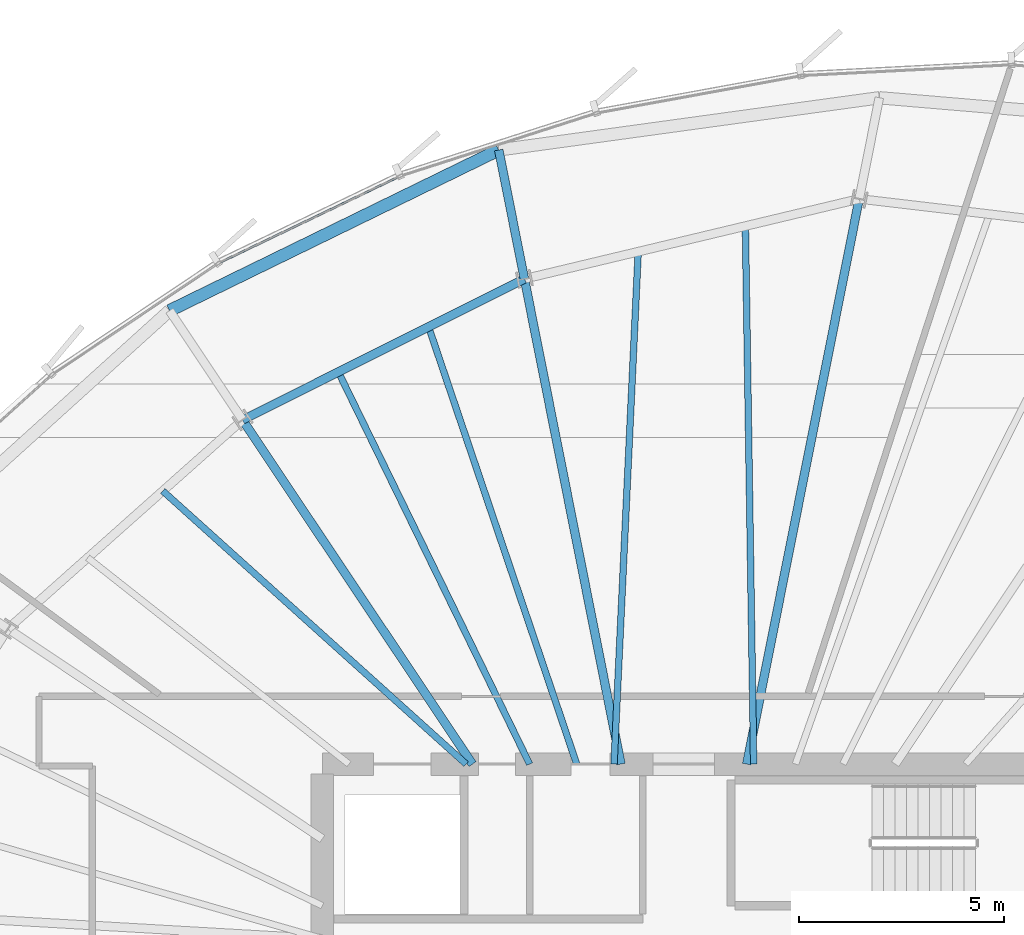
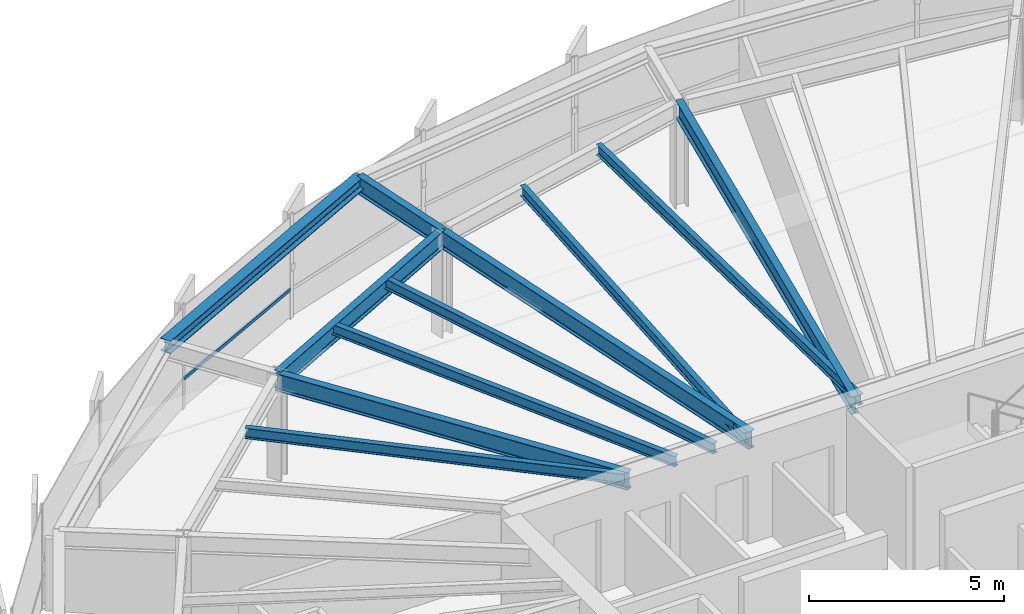
# One storey, part 20 of 34: 11 beams, 1 member, 1 element without a shape of its own.
"""IFC4 building model written with IfcOpenShell, lengths in metres."""

from ifc_helpers import new_model, si_unit, direction, frame, origin, origin_2d, place, context, subcontext, project, spatial, hollow_rectangle, i_section, extrude, source, transform, mapped, material, layer, layer_set, material_profile, profile_set, type_object, element, aggregate, save


model = new_model("IFC4")

# Units and contexts
model_context = context("Model", 3, precision=1e-05, world=origin(), true_north=direction((0.0, 1.0)))
body_context = subcontext(model_context, "Body", "Model", "MODEL_VIEW")
ifc_project = project(units=[si_unit("LENGTHUNIT", "METRE"), si_unit("AREAUNIT", "SQUARE_METRE"), si_unit("VOLUMEUNIT", "CUBIC_METRE"), si_unit("PLANEANGLEUNIT", "RADIAN"), si_unit("MASSUNIT", "GRAM", prefix="KILO"), si_unit("THERMODYNAMICTEMPERATUREUNIT", "KELVIN")], contexts=[model_context])

# Site, building, storey
site_placement = place(None, origin())
site = spatial("IfcSite", under=ifc_project, at=site_placement, CompositionType="ELEMENT")
building_placement = place(site_placement, origin())
building = spatial("IfcBuilding", under=site, at=building_placement, Name="Kethvar Cultural Tower", CompositionType="ELEMENT")
storey_placement = place(building_placement, frame((0.0, 0.0, 153.64990234375)))
storey = spatial("IfcBuildingStorey", under=building, at=storey_placement, Name="L39", CompositionType="ELEMENT", Elevation=153.64990234375)

# Beams
ifc_material_1 = material(Name="Steel S355J2", Category="steel")
ifc_material_profile_1 = material_profile(ifc_material_1, i_section(OverallWidth=0.2099609375, OverallDepth=0.550048828125, WebThickness=0.010986328125, FlangeThickness=0.01708984375, FilletRadius=0.02392578125, at=origin_2d()), Name="Steel S355J2 — IPE550")
ifc_profile_set_1 = profile_set([ifc_material_profile_1], Name="Steel S355J2 — IPE550")
beam_type_1 = type_object("IfcBeamType", Name="BM-IPE550", PredefinedType="BEAM", material=ifc_profile_set_1)
shared_shape_1 = source(origin(), body_context, "Body", "SweptSolid", [
    extrude(i_section(OverallWidth=0.2099609375, OverallDepth=0.550048828125, WebThickness=0.010986328125, FlangeThickness=0.01708984375, FilletRadius=0.02392578125, at=origin_2d()), origin(), (0.0, 0.0, 1.0), 3.199951171875),
])
beam_1_placement = place(storey_placement, frame((42.9189453125, 47.311279296875, 3.023193359375), z_axis=(-0.195088965533, 0.980785550224, 0.0), x_axis=(-0.980785550224, -0.195088965533, 0.0)))
element("IfcBeam", 1, at=beam_1_placement, inside=storey, type_object=beam_type_1, Name="L39 Perimeter Cantilever Beam RC-05", PredefinedType="BEAM", context=body_context, shape_type="MappedRepresentation", body=[
    mapped(shared_shape_1, transform((0.0, 0.0, 0.0), scale=1.0)),
])
shared_shape_2 = source(origin(), body_context, "Body", "SweptSolid", [
    extrude(i_section(OverallWidth=0.2099609375, OverallDepth=0.550048828125, WebThickness=0.010986328125, FlangeThickness=0.01708984375, FilletRadius=0.02392578125, at=origin_2d()), origin(), (0.0, 0.0, 1.0), 14.02880859375),
])
beam_2_placement = place(storey_placement, frame((48.33154296875, 35.5, 3.023193359375), z_axis=(0.195101986683, 0.980782960085, 0.0), x_axis=(-0.980782960085, 0.195101986683, 0.0)))
element("IfcBeam", 2, at=beam_2_placement, inside=storey, type_object=beam_type_1, Name="L39 Primary Radial Beam RB-04", PredefinedType="BEAM", context=body_context, shape_type="MappedRepresentation", body=[
    mapped(shared_shape_2, transform((0.0, 0.0, 0.0), scale=1.0)),
])
shared_shape_3 = source(origin(), body_context, "Body", "SweptSolid", [
    extrude(i_section(OverallWidth=0.2099609375, OverallDepth=0.550048828125, WebThickness=0.010986328125, FlangeThickness=0.01708984375, FilletRadius=0.02392578125, at=origin_2d()), origin(), (0.0, 0.0, 1.0), 12.042724609375),
])
beam_3_placement = place(storey_placement, frame((45.268310546875, 35.5, 3.023193359375), z_axis=(-0.195086784047, 0.980785984142, 0.0), x_axis=(-0.980785984142, -0.195086784047, 0.0)))
element("IfcBeam", 3, at=beam_3_placement, inside=storey, type_object=beam_type_1, Name="L39 Primary Radial Beam RB-05", PredefinedType="BEAM", context=body_context, shape_type="MappedRepresentation", body=[
    mapped(shared_shape_3, transform((0.0, 0.0, 0.0), scale=1.0)),
])
shared_shape_4 = source(origin(), body_context, "Body", "SweptSolid", [
    extrude(i_section(OverallWidth=0.2099609375, OverallDepth=0.550048828125, WebThickness=0.010986328125, FlangeThickness=0.01708984375, FilletRadius=0.02392578125, at=origin_2d()), origin(), (0.0, 0.0, 1.0), 10.0751953125),
])
beam_4_placement = place(storey_placement, frame((41.655029296875, 35.5, 3.023193359375), z_axis=(-0.555566654614, 0.831472003305, 0.0), x_axis=(-0.831472003305, -0.555566654614, 0.0)))
element("IfcBeam", 4, at=beam_4_placement, inside=storey, type_object=beam_type_1, Name="L39 Primary Radial Beam RB-06", PredefinedType="BEAM", context=body_context, shape_type="MappedRepresentation", body=[
    mapped(shared_shape_4, transform((0.0, 0.0, 0.0), scale=1.0)),
])
ifc_material_profile_2 = material_profile(ifc_material_1, i_section(OverallWidth=0.159912109375, OverallDepth=0.330078125, WebThickness=0.007568359375, FlangeThickness=0.011474609375, FilletRadius=0.01806640625, at=origin_2d()), Name="Steel S355J2 — IPE330")
ifc_profile_set_2 = profile_set([ifc_material_profile_2], Name="Steel S355J2 — IPE330")
beam_type_2 = type_object("IfcBeamType", Name="BM-J330", PredefinedType="JOIST", material=ifc_profile_set_2)
shared_shape_5 = source(origin(), body_context, "Body", "SweptSolid", [
    extrude(i_section(OverallWidth=0.159912109375, OverallDepth=0.330078125, WebThickness=0.007568359375, FlangeThickness=0.011474609375, FilletRadius=0.01806640625, at=origin_2d()), origin(), (0.0, 0.0, 1.0), 13.098388671875),
])
beam_5_placement = place(storey_placement, frame((48.5, 35.5, 3.133056640625), z_axis=(-0.015451599057, 0.999880616917, 0.0), x_axis=(-0.999880616917, -0.015451599057, 0.0)))
element("IfcBeam", 5, at=beam_5_placement, inside=storey, type_object=beam_type_2, Name="L39 Composite Floor Joist J-04A", PredefinedType="JOIST", context=body_context, shape_type="MappedRepresentation", body=[
    mapped(shared_shape_5, transform((0.0, 0.0, 0.0), scale=1.0)),
])
shared_shape_6 = source(origin(), body_context, "Body", "SweptSolid", [
    extrude(i_section(OverallWidth=0.159912109375, OverallDepth=0.330078125, WebThickness=0.007568359375, FlangeThickness=0.011474609375, FilletRadius=0.01806640625, at=origin_2d()), origin(), (0.0, 0.0, 1.0), 12.487548828125),
])
beam_6_placement = place(storey_placement, frame((45.10009765625, 35.5, 3.133056640625), z_axis=(0.047214958818, 0.998884751943, 0.0), x_axis=(-0.998884751943, 0.047214958818, 0.0)))
element("IfcBeam", 6, at=beam_6_placement, inside=storey, type_object=beam_type_2, Name="L39 Composite Floor Joist J-04B", PredefinedType="JOIST", context=body_context, shape_type="MappedRepresentation", body=[
    mapped(shared_shape_6, transform((0.0, 0.0, 0.0), scale=1.0)),
])
shared_shape_7 = source(origin(), body_context, "Body", "SweptSolid", [
    extrude(i_section(OverallWidth=0.2099609375, OverallDepth=0.550048828125, WebThickness=0.010986328125, FlangeThickness=0.01708984375, FilletRadius=0.02392578125, at=origin_2d()), origin(), (0.0, 0.0, 1.0), 7.672607421875),
])
beam_7_placement = place(storey_placement, frame((42.9189453125, 47.311279296875, 3.023193359375), z_axis=(-0.894248932057, -0.447569935892, 0.0), x_axis=(0.447569935892, -0.894248932057, 0.0)))
element("IfcBeam", 7, at=beam_7_placement, inside=storey, type_object=beam_type_1, Name="L39 Column Ring Tie Beam CR-05", PredefinedType="BEAM", context=body_context, shape_type="MappedRepresentation", body=[
    mapped(shared_shape_7, transform((0.0, 0.0, 0.0), scale=1.0)),
])
shared_shape_8 = source(origin(), body_context, "Body", "SweptSolid", [
    extrude(i_section(OverallWidth=0.159912109375, OverallDepth=0.330078125, WebThickness=0.007568359375, FlangeThickness=0.011474609375, FilletRadius=0.01806640625, at=origin_2d()), origin(), (0.0, 0.0, 1.0), 11.23779296875),
])
beam_8_placement = place(storey_placement, frame((44.191650390625, 35.5, 3.133056640625), z_axis=(-0.32083186626, 0.94713616423, 0.0), x_axis=(-0.94713616423, -0.32083186626, 0.0)))
element("IfcBeam", 8, at=beam_8_placement, inside=storey, type_object=beam_type_2, Name="L39 Composite Floor Joist J-05A", PredefinedType="JOIST", context=body_context, shape_type="MappedRepresentation", body=[
    mapped(shared_shape_8, transform((0.0, 0.0, 0.0), scale=1.0)),
])
shared_shape_9 = source(origin(), body_context, "Body", "SweptSolid", [
    extrude(i_section(OverallWidth=0.159912109375, OverallDepth=0.330078125, WebThickness=0.007568359375, FlangeThickness=0.011474609375, FilletRadius=0.01806640625, at=origin_2d()), origin(), (0.0, 0.0, 1.0), 10.619384765625),
])
beam_9_placement = place(storey_placement, frame((43.044921875, 35.5, 3.133056640625), z_axis=(-0.438308125028, 0.898824781331, 0.0), x_axis=(-0.898824781331, -0.438308125028, 0.0)))
element("IfcBeam", 9, at=beam_9_placement, inside=storey, type_object=beam_type_2, Name="L39 Composite Floor Joist J-05B", PredefinedType="JOIST", context=body_context, shape_type="MappedRepresentation", body=[
    mapped(shared_shape_9, transform((0.0, 0.0, 0.0), scale=1.0)),
])
shared_shape_10 = source(origin(), body_context, "Body", "SweptSolid", [
    extrude(i_section(OverallWidth=0.159912109375, OverallDepth=0.330078125, WebThickness=0.007568359375, FlangeThickness=0.011474609375, FilletRadius=0.01806640625, at=origin_2d()), origin(), (0.0, 0.0, 1.0), 9.93701171875),
])
beam_10_placement = place(storey_placement, frame((41.5, 35.5, 3.133056640625), z_axis=(-0.743138974967, 0.669137103952, 0.0), x_axis=(-0.669137103952, -0.743138974967, 0.0)))
element("IfcBeam", 10, at=beam_10_placement, inside=storey, type_object=beam_type_2, Name="L39 Composite Floor Joist J-06A", PredefinedType="JOIST", context=body_context, shape_type="MappedRepresentation", body=[
    mapped(shared_shape_10, transform((0.0, 0.0, 0.0), scale=1.0)),
])
ifc_material_profile_3 = material_profile(ifc_material_1, i_section(OverallWidth=0.300048828125, OverallDepth=0.39990234375, WebThickness=0.013427734375, FlangeThickness=0.02392578125, FilletRadius=0.027099609375, at=origin_2d()), Name="Steel S355J2 — HEB400")
ifc_profile_set_3 = profile_set([ifc_material_profile_3], Name="Steel S355J2 — HEB400")
beam_type_3 = type_object("IfcBeamType", Name="BM-SP400", PredefinedType="SPANDREL", material=ifc_profile_set_3)
shared_shape_11 = source(origin(), body_context, "Body", "SweptSolid", [
    extrude(i_section(OverallWidth=0.300048828125, OverallDepth=0.39990234375, WebThickness=0.013427734375, FlangeThickness=0.02392578125, FilletRadius=0.027099609375, at=origin_2d()), origin(), (0.0, 0.0, 1.0), 8.91845703125),
])
beam_11_placement = place(storey_placement, frame((42.294677734375, 50.44970703125, 3.09814453125), z_axis=(-0.898683713341, -0.438597290662, 0.0), x_axis=(0.438597290662, -0.898683713341, 0.0)))
element("IfcBeam", 11, at=beam_11_placement, inside=storey, type_object=beam_type_3, Name="L39 Perimeter Spandrel Beam SP-05", PredefinedType="SPANDREL", context=body_context, shape_type="MappedRepresentation", body=[
    mapped(shared_shape_11, transform((0.0, 0.0, 0.0), scale=1.0)),
])

# Curtain wall, member
ifc_material_2 = material(Name="Aluminium 6063-T6", Category="aluminium")
ifc_layer = layer(ifc_material_2, 0.179931640625, Name="Aluminium 6063-T6", Category="aluminium")
ifc_layer_set = layer_set([ifc_layer], Name="Aluminium 6063-T6 (180 mm)")
curtain_wall_type = type_object("IfcCurtainWallType", Name="CW-SYS-04-Z34", PredefinedType="NOTDEFINED", material=ifc_layer_set)
curtain_wall_placement = place(storey_placement, origin())
curtain_wall = element("IfcCurtainWall", 12, at=curtain_wall_placement, inside=storey, type_object=curtain_wall_type, Name="L39 Curtain Wall Run 02", PredefinedType="NOTDEFINED")
ifc_material_profile_4 = material_profile(ifc_material_2, hollow_rectangle(XDim=0.050048828125, YDim=0.10009765625, WallThickness=0.00390625, at=origin_2d()), Name="Aluminium 6063-T6 — RHS100x50x4")
ifc_profile_set_4 = profile_set([ifc_material_profile_4], Name="Aluminium 6063-T6 — RHS100x50x4")
member_type = type_object("IfcMemberType", Name="CW-SYS-04-Z34-TRN", PredefinedType="USERDEFINED", material=ifc_profile_set_4)
shared_shape_12 = source(origin(), body_context, "Body", "SweptSolid", [
    extrude(hollow_rectangle(XDim=0.050048828125, YDim=0.10009765625, WallThickness=0.00390625, at=origin_2d()), origin(), (0.0, 0.0, 1.0), 4.84375),
])
member_placement = place(storey_placement, frame((39.8564453125, 49.796142578125, 0.9501953125), z_axis=(-0.901557661556, -0.432658968346, 0.0), x_axis=(0.432658968346, -0.901557661556, 0.0)))
member = element("IfcMember", 13, at=member_placement, type_object=member_type, Name="CW-L39-R02 Transom 3", ObjectType="TRANSOM", PredefinedType="USERDEFINED", context=body_context, shape_type="MappedRepresentation", body=[
    mapped(shared_shape_12, transform((0.0, 0.0, 0.0), scale=1.0)),
])
aggregate(curtain_wall, [member])

save(model, "model.ifc")
